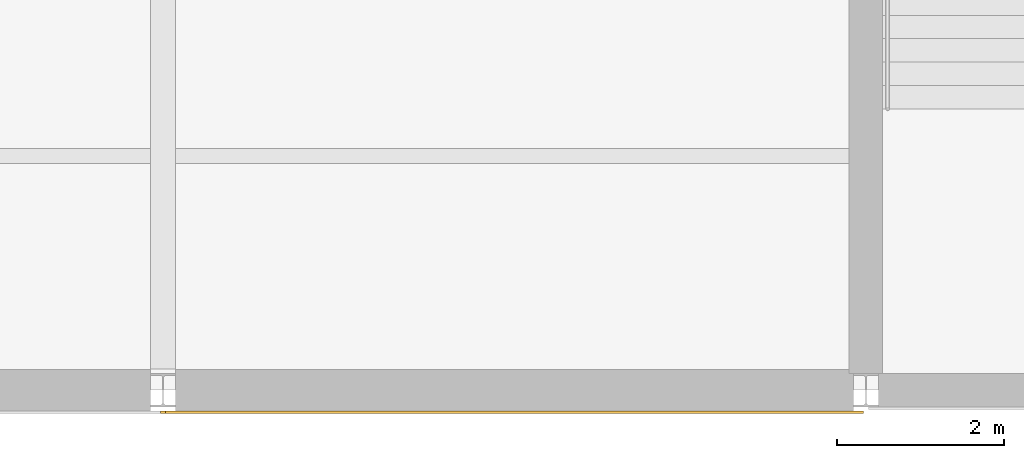
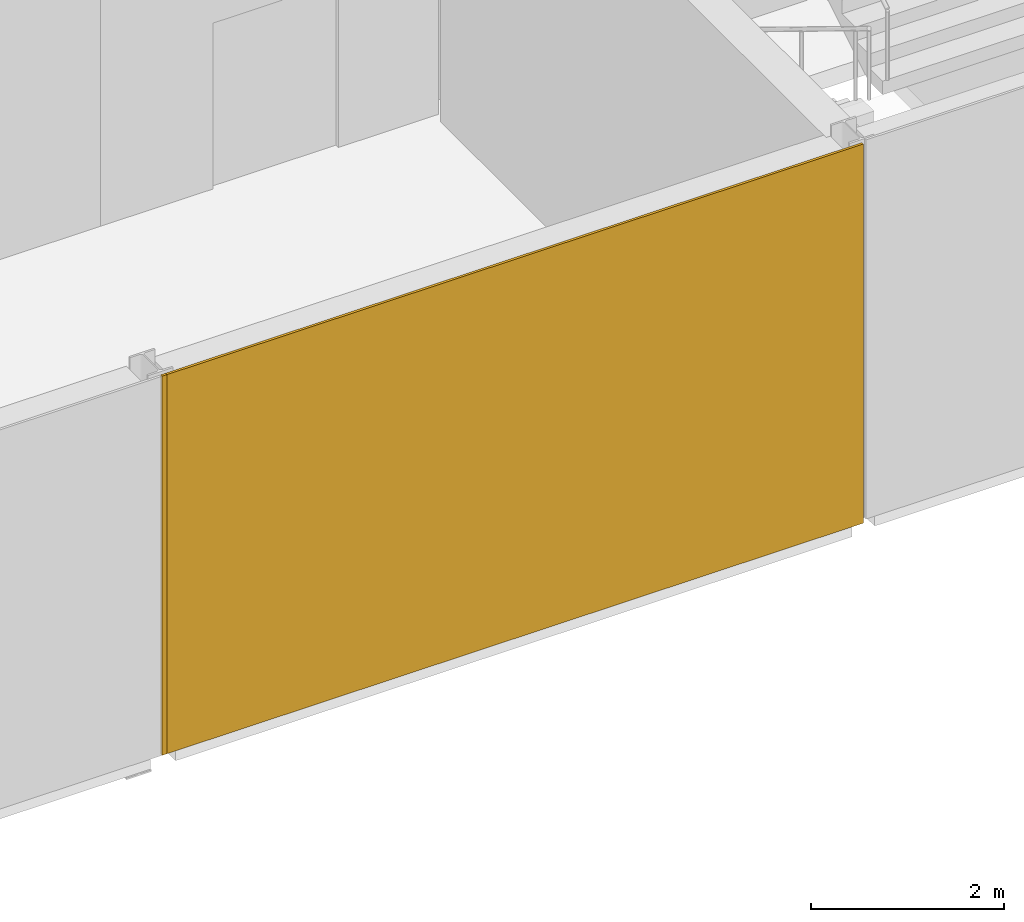
# One storey, part 38 of 52: 2 coverings.
"""IFC4 building model written with IfcOpenShell, lengths in metres."""

from ifc_helpers import new_model, si_unit, direction, frame, origin, origin_2d, place, context, subcontext, project, spatial, rectangle, extrude, material, layer, layer_set, type_object, element, save


model = new_model("IFC4")

# Units and contexts
model_context = context("Model", 3, precision=1e-05, world=origin(), true_north=direction((0.0, 1.0)))
body_context = subcontext(model_context, "Body", "Model", "MODEL_VIEW")
ifc_project = project(units=[si_unit("LENGTHUNIT", "METRE"), si_unit("AREAUNIT", "SQUARE_METRE"), si_unit("VOLUMEUNIT", "CUBIC_METRE"), si_unit("PLANEANGLEUNIT", "RADIAN"), si_unit("MASSUNIT", "GRAM", prefix="KILO")], contexts=[model_context])

# Site, building, storey
site_placement = place(None, origin())
site = spatial("IfcSite", under=ifc_project, at=site_placement, CompositionType="ELEMENT")
building_placement = place(site_placement, origin())
building = spatial("IfcBuilding", under=site, at=building_placement, Name="Galleria Vessillo Department Store", CompositionType="ELEMENT")
storey_placement = place(building_placement, frame((0.0, 0.0, 16.199951171875)))
storey = spatial("IfcBuildingStorey", under=building, at=storey_placement, Name="L03", CompositionType="ELEMENT", Elevation=16.199951171875)

# Coverings
ifc_material = material(Name="Lime plaster (intonaco) ochre")
ifc_layer = layer(ifc_material, 0.030029296875)
ifc_layer_set = layer_set([ifc_layer], Name="Lime plaster (intonaco) ochre")
covering_type = type_object("IfcCoveringType", Name="Lime plaster render 30 mm", PredefinedType="CLADDING", material=ifc_layer_set)
covering_1_placement = place(storey_placement, frame((29.39990234375, -0.264892578125, 0.0), z_axis=(0.0, 0.0, 1.0), x_axis=(1.0, 0.0, 0.0)))
element("IfcCovering", 1, at=covering_1_placement, inside=storey, type_object=covering_type, Name="Wall cladding S-PS-L03-03", PredefinedType="CLADDING", context=body_context, shape_type="SweptSolid", body=[
    extrude(rectangle(XDim=8.34033203125, YDim=0.030029296875, at=origin_2d()), origin(), (0.0, 0.0, 1.0), 4.800048828125),
])
covering_2_placement = place(storey_placement, frame((25.199951171875, -0.264892578125, 0.0), z_axis=(0.0, 0.0, 1.0), x_axis=(1.0, 0.0, 0.0)))
element("IfcCovering", 2, at=covering_2_placement, inside=storey, type_object=covering_type, Name="Joint block Wall cladding S-PS-L03-02", PredefinedType="CLADDING", context=body_context, shape_type="SweptSolid", body=[
    extrude(rectangle(XDim=0.059814453125, YDim=0.030029296875, at=origin_2d()), origin(), (0.0, 0.0, 1.0), 4.800048828125),
])

save(model, "model.ifc")
